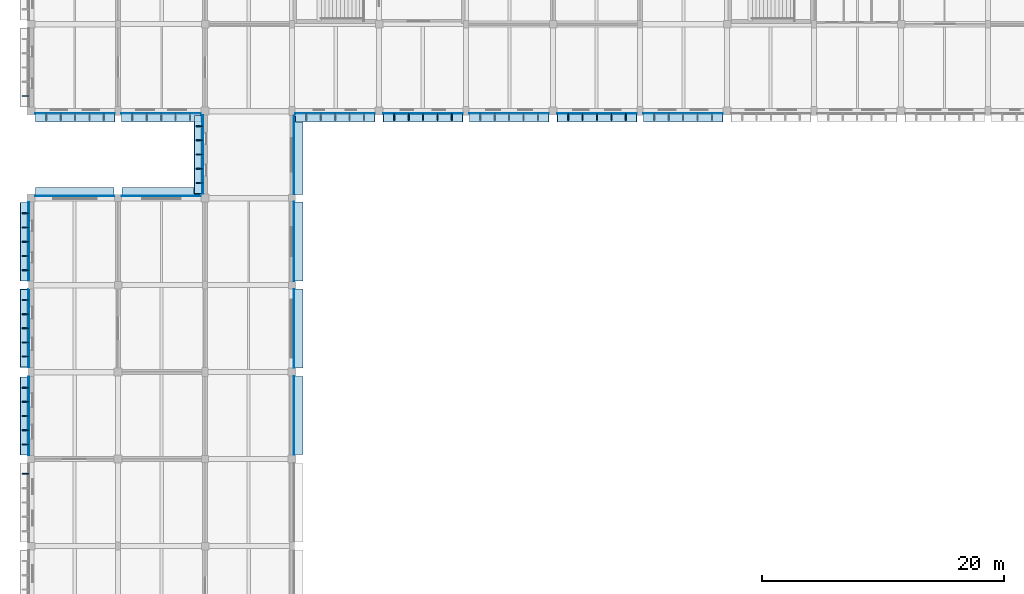
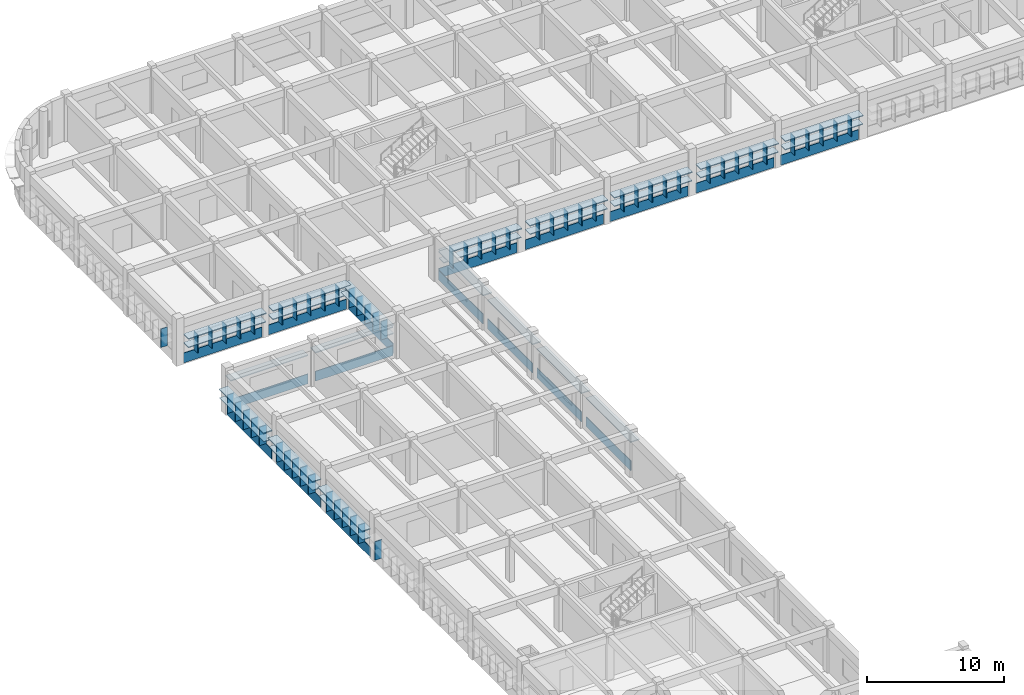
# One storey, part 13 of 38: 102 plates.
"""IFC4 building model written with IfcOpenShell, lengths in metres."""

from ifc_helpers import new_model, si_unit, direction, frame, origin, origin_2d, place, context, subcontext, project, spatial, rectangle, extrude, material, layer, layer_set, type_object, element, save


model = new_model("IFC4")

# Units and contexts
model_context = context("Model", 3, precision=1e-05, world=origin(), true_north=direction((0.0, 1.0)))
body_context = subcontext(model_context, "Body", "Model", "MODEL_VIEW")
ifc_project = project(units=[si_unit("LENGTHUNIT", "METRE"), si_unit("AREAUNIT", "SQUARE_METRE"), si_unit("VOLUMEUNIT", "CUBIC_METRE"), si_unit("PLANEANGLEUNIT", "RADIAN"), si_unit("MASSUNIT", "GRAM", prefix="KILO")], contexts=[model_context])

# Site, building, storey
site_placement = place(None, origin())
site = spatial("IfcSite", under=ifc_project, at=site_placement, CompositionType="ELEMENT")
building_placement = place(site_placement, origin())
building = spatial("IfcBuilding", under=site, at=building_placement, Name="Thalmaran Polytechnic", CompositionType="ELEMENT")
storey_placement = place(building_placement, frame((0.0, 0.0, 18.60009765625)))
storey = spatial("IfcBuildingStorey", under=building, at=storey_placement, Name="L04", CompositionType="ELEMENT", Elevation=18.60009765625)

# Plates
ifc_material_1 = material(Name="Anodised aluminium spandrel band", Category="aluminium")
ifc_layer_1 = layer(ifc_material_1, 0.054931640625, Name="Anodised aluminium spandrel band")
ifc_layer_set_1 = layer_set([ifc_layer_1], Name="Anodised aluminium spandrel band")
plate_type_1 = type_object("IfcPlateType", Name="PT-BD01", PredefinedType="SHEET", material=ifc_layer_set_1)
plate_1_placement = place(storey_placement, frame((-0.195068359375, 68.362548828125, 0.02001953125), z_axis=(0.0, 0.0, 1.0), x_axis=(0.0, 1.0, 0.0)))
element("IfcPlate", 1, at=plate_1_placement, inside=storey, type_object=plate_type_1, Name="Streamline Horizontal Spandrel Band L04-034", PredefinedType="SHEET", context=body_context, shape_type="SweptSolid", body=[
    extrude(rectangle(XDim=6.485107421875, YDim=0.054931640625, at=origin_2d()), origin(), (0.0, 0.0, 1.0), 0.8798828125),
])
plate_2_placement = place(storey_placement, frame((-0.195068359375, 75.62744140625, 0.02001953125), z_axis=(0.0, 0.0, 1.0), x_axis=(0.0, 1.0, 0.0)))
element("IfcPlate", 2, at=plate_2_placement, inside=storey, type_object=plate_type_1, Name="Streamline Horizontal Spandrel Band L04-035", PredefinedType="SHEET", context=body_context, shape_type="SweptSolid", body=[
    extrude(rectangle(XDim=6.465087890625, YDim=0.054931640625, at=origin_2d()), origin(), (0.0, 0.0, 1.0), 0.8798828125),
])
plate_3_placement = place(storey_placement, frame((-0.195068359375, 82.7900390625, 0.02001953125), z_axis=(0.0, 0.0, 1.0), x_axis=(0.0, 1.0, 0.0)))
element("IfcPlate", 3, at=plate_3_placement, inside=storey, type_object=plate_type_1, Name="Streamline Horizontal Spandrel Band L04-036", PredefinedType="SHEET", context=body_context, shape_type="SweptSolid", body=[
    extrude(rectangle(XDim=6.5, YDim=0.054931640625, at=origin_2d()), origin(), (0.0, 0.0, 1.0), 0.8798828125),
])
for number, where, z_axis, x_axis, name in (
    (4, (3.6201171875, 86.570068359375, 0.02001953125), (0.0, 0.0, 1.0), (1.0, 0.0, 0.0), "Streamline Horizontal Spandrel Band L04-037"),
    (5, (10.780029296875, 86.570068359375, 0.02001953125), (0.0, 0.0, 1.0), (1.0, 0.0, 0.0), "Streamline Horizontal Spandrel Band L04-038"),
):
    element("IfcPlate", number, at=place(storey_placement, frame(where, z_axis=z_axis, x_axis=x_axis)), inside=storey, type_object=plate_type_1, Name=name, PredefinedType="SHEET", context=body_context, shape_type="SweptSolid", body=[
        extrude(rectangle(XDim=6.52001953125, YDim=0.054931640625, at=origin_2d()), origin(), (0.0, 0.0, 1.0), 0.8798828125),
    ])
plate_4_placement = place(storey_placement, frame((14.205078125, 90.007568359375, 0.02001953125), z_axis=(0.0, 0.0, 1.0), x_axis=(0.0, 1.0, 0.0)))
element("IfcPlate", 6, at=plate_4_placement, inside=storey, type_object=plate_type_1, Name="Streamline Horizontal Spandrel Band L04-039", PredefinedType="SHEET", context=body_context, shape_type="SweptSolid", body=[
    extrude(rectangle(XDim=6.4951171875, YDim=0.054931640625, at=origin_2d()), origin(), (0.0, 0.0, 1.0), 0.8798828125),
])
for number, where, z_axis, x_axis, name in (
    (7, (10.762451171875, 93.405029296875, 0.02001953125), (0.0, 0.0, 1.0), (-1.0, 0.0, 0.0), "Streamline Horizontal Spandrel Band L04-040"),
    (8, (3.637451171875, 93.405029296875, 0.02001953125), (0.0, 0.0, 1.0), (-1.0, 0.0, 0.0), "Streamline Horizontal Spandrel Band L04-041"),
    (9, (53.96240234375, 93.405029296875, 0.02001953125), (0.0, 0.0, 1.0), (-1.0, 0.0, 0.0), "Streamline Horizontal Spandrel Band L04-074"),
    (10, (46.83740234375, 93.405029296875, 0.02001953125), (0.0, 0.0, 1.0), (-1.0, 0.0, 0.0), "Streamline Horizontal Spandrel Band L04-075"),
    (11, (39.5625, 93.405029296875, 0.02001953125), (0.0, 0.0, 1.0), (-1.0, 0.0, 0.0), "Streamline Horizontal Spandrel Band L04-076"),
    (12, (32.4375, 93.405029296875, 0.02001953125), (0.0, 0.0, 1.0), (-1.0, 0.0, 0.0), "Streamline Horizontal Spandrel Band L04-077"),
    (13, (25.16259765625, 93.405029296875, 0.02001953125), (0.0, 0.0, 1.0), (-1.0, 0.0, 0.0), "Streamline Horizontal Spandrel Band L04-078"),
):
    element("IfcPlate", number, at=place(storey_placement, frame(where, z_axis=z_axis, x_axis=x_axis)), inside=storey, type_object=plate_type_1, Name=name, PredefinedType="SHEET", context=body_context, shape_type="SweptSolid", body=[
        extrude(rectangle(XDim=6.5849609375, YDim=0.054931640625, at=origin_2d()), origin(), (0.0, 0.0, 1.0), 0.8798828125),
    ])
plate_5_placement = place(storey_placement, frame((21.77001953125, 89.96240234375, 0.02001953125), z_axis=(0.0, 0.0, 1.0), x_axis=(0.0, -1.0, 0.0)))
element("IfcPlate", 14, at=plate_5_placement, inside=storey, type_object=plate_type_1, Name="Streamline Horizontal Spandrel Band L04-079", PredefinedType="SHEET", context=body_context, shape_type="SweptSolid", body=[
    extrude(rectangle(XDim=6.485107421875, YDim=0.054931640625, at=origin_2d()), origin(), (0.0, 0.0, 1.0), 0.8798828125),
])
plate_6_placement = place(storey_placement, frame((21.77001953125, 82.804931640625, 0.02001953125), z_axis=(0.0, 0.0, 1.0), x_axis=(0.0, -1.0, 0.0)))
element("IfcPlate", 15, at=plate_6_placement, inside=storey, type_object=plate_type_1, Name="Streamline Horizontal Spandrel Band L04-080", PredefinedType="SHEET", context=body_context, shape_type="SweptSolid", body=[
    extrude(rectangle(XDim=6.550048828125, YDim=0.054931640625, at=origin_2d()), origin(), (0.0, 0.0, 1.0), 0.8798828125),
])
plate_7_placement = place(storey_placement, frame((21.77001953125, 75.607421875, 0.02001953125), z_axis=(0.0, 0.0, 1.0), x_axis=(0.0, -1.0, 0.0)))
element("IfcPlate", 16, at=plate_7_placement, inside=storey, type_object=plate_type_1, Name="Streamline Horizontal Spandrel Band L04-081", PredefinedType="SHEET", context=body_context, shape_type="SweptSolid", body=[
    extrude(rectangle(XDim=6.52490234375, YDim=0.054931640625, at=origin_2d()), origin(), (0.0, 0.0, 1.0), 0.8798828125),
])
plate_8_placement = place(storey_placement, frame((21.77001953125, 68.407470703125, 0.02001953125), z_axis=(0.0, 0.0, 1.0), x_axis=(0.0, -1.0, 0.0)))
element("IfcPlate", 17, at=plate_8_placement, inside=storey, type_object=plate_type_1, Name="Streamline Horizontal Spandrel Band L04-082", PredefinedType="SHEET", context=body_context, shape_type="SweptSolid", body=[
    extrude(rectangle(XDim=6.4951171875, YDim=0.054931640625, at=origin_2d()), origin(), (0.0, 0.0, 1.0), 0.8798828125),
])
ifc_material_2 = material(Name="Anodised aluminium sun-hood eyebrow", Category="aluminium")
ifc_layer_2 = layer(ifc_material_2, 0.0849609375, Name="Anodised aluminium sun-hood eyebrow")
ifc_layer_set_2 = layer_set([ifc_layer_2], Name="Anodised aluminium sun-hood eyebrow")
plate_type_2 = type_object("IfcPlateType", Name="PT-EB01", PredefinedType="SHEET", material=ifc_layer_set_2)
plate_9_placement = place(storey_placement, frame((-0.5400390625, 68.362548828125, 2.517333984375), z_axis=(0.0, 0.0, 1.0), x_axis=(0.0, 1.0, 0.0)))
element("IfcPlate", 18, at=plate_9_placement, inside=storey, type_object=plate_type_2, Name="Streamline Sun-Hood Eyebrow L04-034", PredefinedType="SHEET", context=body_context, shape_type="SweptSolid", body=[
    extrude(rectangle(XDim=6.485107421875, YDim=0.760009765625, at=origin_2d()), origin(), (0.0, 0.0, 1.0), 0.0849609375),
])
plate_10_placement = place(storey_placement, frame((-0.52001953125, 68.362548828125, 1.7421875), z_axis=(0.0, 0.0, 1.0), x_axis=(0.0, 1.0, 0.0)))
element("IfcPlate", 19, at=plate_10_placement, inside=storey, type_object=plate_type_2, Name="Abu Dhabi Horizontal Solar Louvre L04-034", PredefinedType="SHEET", context=body_context, shape_type="SweptSolid", body=[
    extrude(rectangle(XDim=6.445068359375, YDim=0.719970703125, at=origin_2d()), origin(), (0.0, 0.0, 1.0), 0.074951171875),
])
plate_11_placement = place(storey_placement, frame((-0.5400390625, 75.62744140625, 2.517333984375), z_axis=(0.0, 0.0, 1.0), x_axis=(0.0, 1.0, 0.0)))
element("IfcPlate", 20, at=plate_11_placement, inside=storey, type_object=plate_type_2, Name="Streamline Sun-Hood Eyebrow L04-035", PredefinedType="SHEET", context=body_context, shape_type="SweptSolid", body=[
    extrude(rectangle(XDim=6.465087890625, YDim=0.760009765625, at=origin_2d()), origin(), (0.0, 0.0, 1.0), 0.0849609375),
])
plate_12_placement = place(storey_placement, frame((-0.52001953125, 75.62744140625, 1.7421875), z_axis=(0.0, 0.0, 1.0), x_axis=(0.0, 1.0, 0.0)))
element("IfcPlate", 21, at=plate_12_placement, inside=storey, type_object=plate_type_2, Name="Abu Dhabi Horizontal Solar Louvre L04-035", PredefinedType="SHEET", context=body_context, shape_type="SweptSolid", body=[
    extrude(rectangle(XDim=6.425048828125, YDim=0.719970703125, at=origin_2d()), origin(), (0.0, 0.0, 1.0), 0.074951171875),
])
plate_13_placement = place(storey_placement, frame((-0.5400390625, 82.7900390625, 2.517333984375), z_axis=(0.0, 0.0, 1.0), x_axis=(0.0, 1.0, 0.0)))
element("IfcPlate", 22, at=plate_13_placement, inside=storey, type_object=plate_type_2, Name="Streamline Sun-Hood Eyebrow L04-036", PredefinedType="SHEET", context=body_context, shape_type="SweptSolid", body=[
    extrude(rectangle(XDim=6.5, YDim=0.760009765625, at=origin_2d()), origin(), (0.0, 0.0, 1.0), 0.0849609375),
])
plate_14_placement = place(storey_placement, frame((-0.52001953125, 82.7900390625, 1.7421875), z_axis=(0.0, 0.0, 1.0), x_axis=(0.0, 1.0, 0.0)))
element("IfcPlate", 23, at=plate_14_placement, inside=storey, type_object=plate_type_2, Name="Abu Dhabi Horizontal Solar Louvre L04-036", PredefinedType="SHEET", context=body_context, shape_type="SweptSolid", body=[
    extrude(rectangle(XDim=6.4599609375, YDim=0.719970703125, at=origin_2d()), origin(), (0.0, 0.0, 1.0), 0.074951171875),
])
for number, where, z_axis, x_axis, name in (
    (24, (3.6201171875, 86.9150390625, 2.517333984375), (0.0, 0.0, 1.0), (1.0, 0.0, 0.0), "Streamline Sun-Hood Eyebrow L04-037"),
    (25, (10.780029296875, 86.9150390625, 2.517333984375), (0.0, 0.0, 1.0), (1.0, 0.0, 0.0), "Streamline Sun-Hood Eyebrow L04-038"),
):
    element("IfcPlate", number, at=place(storey_placement, frame(where, z_axis=z_axis, x_axis=x_axis)), inside=storey, type_object=plate_type_2, Name=name, PredefinedType="SHEET", context=body_context, shape_type="SweptSolid", body=[
        extrude(rectangle(XDim=6.52001953125, YDim=0.760009765625, at=origin_2d()), origin(), (0.0, 0.0, 1.0), 0.0849609375),
    ])
plate_15_placement = place(storey_placement, frame((13.860107421875, 90.007568359375, 2.517333984375), z_axis=(0.0, 0.0, 1.0), x_axis=(0.0, 1.0, 0.0)))
element("IfcPlate", 26, at=plate_15_placement, inside=storey, type_object=plate_type_2, Name="Streamline Sun-Hood Eyebrow L04-039", PredefinedType="SHEET", context=body_context, shape_type="SweptSolid", body=[
    extrude(rectangle(XDim=6.4951171875, YDim=0.760009765625, at=origin_2d()), origin(), (0.0, 0.0, 1.0), 0.0849609375),
])
plate_16_placement = place(storey_placement, frame((13.8798828125, 90.007568359375, 1.7421875), z_axis=(0.0, 0.0, 1.0), x_axis=(0.0, 1.0, 0.0)))
element("IfcPlate", 27, at=plate_16_placement, inside=storey, type_object=plate_type_2, Name="Abu Dhabi Horizontal Solar Louvre L04-039", PredefinedType="SHEET", context=body_context, shape_type="SweptSolid", body=[
    extrude(rectangle(XDim=6.455078125, YDim=0.719970703125, at=origin_2d()), origin(), (0.0, 0.0, 1.0), 0.074951171875),
])
plate_17_placement = place(storey_placement, frame((10.762451171875, 93.06005859375, 2.517333984375), z_axis=(0.0, 0.0, 1.0), x_axis=(-1.0, 0.0, 0.0)))
element("IfcPlate", 28, at=plate_17_placement, inside=storey, type_object=plate_type_2, Name="Streamline Sun-Hood Eyebrow L04-040", PredefinedType="SHEET", context=body_context, shape_type="SweptSolid", body=[
    extrude(rectangle(XDim=6.5849609375, YDim=0.760009765625, at=origin_2d()), origin(), (0.0, 0.0, 1.0), 0.0849609375),
])
plate_18_placement = place(storey_placement, frame((10.762451171875, 93.080078125, 1.7421875), z_axis=(0.0, 0.0, 1.0), x_axis=(-1.0, 0.0, 0.0)))
element("IfcPlate", 29, at=plate_18_placement, inside=storey, type_object=plate_type_2, Name="Abu Dhabi Horizontal Solar Louvre L04-040", PredefinedType="SHEET", context=body_context, shape_type="SweptSolid", body=[
    extrude(rectangle(XDim=6.544921875, YDim=0.719970703125, at=origin_2d()), origin(), (0.0, 0.0, 1.0), 0.074951171875),
])
plate_19_placement = place(storey_placement, frame((3.637451171875, 93.06005859375, 2.517333984375), z_axis=(0.0, 0.0, 1.0), x_axis=(-1.0, 0.0, 0.0)))
element("IfcPlate", 30, at=plate_19_placement, inside=storey, type_object=plate_type_2, Name="Streamline Sun-Hood Eyebrow L04-041", PredefinedType="SHEET", context=body_context, shape_type="SweptSolid", body=[
    extrude(rectangle(XDim=6.5849609375, YDim=0.760009765625, at=origin_2d()), origin(), (0.0, 0.0, 1.0), 0.0849609375),
])
plate_20_placement = place(storey_placement, frame((3.637451171875, 93.080078125, 1.7421875), z_axis=(0.0, 0.0, 1.0), x_axis=(-1.0, 0.0, 0.0)))
element("IfcPlate", 31, at=plate_20_placement, inside=storey, type_object=plate_type_2, Name="Abu Dhabi Horizontal Solar Louvre L04-041", PredefinedType="SHEET", context=body_context, shape_type="SweptSolid", body=[
    extrude(rectangle(XDim=6.544921875, YDim=0.719970703125, at=origin_2d()), origin(), (0.0, 0.0, 1.0), 0.074951171875),
])
plate_21_placement = place(storey_placement, frame((53.96240234375, 93.06005859375, 2.517333984375), z_axis=(0.0, 0.0, 1.0), x_axis=(-1.0, 0.0, 0.0)))
element("IfcPlate", 32, at=plate_21_placement, inside=storey, type_object=plate_type_2, Name="Streamline Sun-Hood Eyebrow L04-074", PredefinedType="SHEET", context=body_context, shape_type="SweptSolid", body=[
    extrude(rectangle(XDim=6.5849609375, YDim=0.760009765625, at=origin_2d()), origin(), (0.0, 0.0, 1.0), 0.0849609375),
])
plate_22_placement = place(storey_placement, frame((53.96240234375, 93.080078125, 1.7421875), z_axis=(0.0, 0.0, 1.0), x_axis=(-1.0, 0.0, 0.0)))
element("IfcPlate", 33, at=plate_22_placement, inside=storey, type_object=plate_type_2, Name="Abu Dhabi Horizontal Solar Louvre L04-074", PredefinedType="SHEET", context=body_context, shape_type="SweptSolid", body=[
    extrude(rectangle(XDim=6.544921875, YDim=0.719970703125, at=origin_2d()), origin(), (0.0, 0.0, 1.0), 0.074951171875),
])
plate_23_placement = place(storey_placement, frame((46.83740234375, 93.06005859375, 2.517333984375), z_axis=(0.0, 0.0, 1.0), x_axis=(-1.0, 0.0, 0.0)))
element("IfcPlate", 34, at=plate_23_placement, inside=storey, type_object=plate_type_2, Name="Streamline Sun-Hood Eyebrow L04-075", PredefinedType="SHEET", context=body_context, shape_type="SweptSolid", body=[
    extrude(rectangle(XDim=6.5849609375, YDim=0.760009765625, at=origin_2d()), origin(), (0.0, 0.0, 1.0), 0.0849609375),
])
plate_24_placement = place(storey_placement, frame((46.83740234375, 93.080078125, 1.7421875), z_axis=(0.0, 0.0, 1.0), x_axis=(-1.0, 0.0, 0.0)))
element("IfcPlate", 35, at=plate_24_placement, inside=storey, type_object=plate_type_2, Name="Abu Dhabi Horizontal Solar Louvre L04-075", PredefinedType="SHEET", context=body_context, shape_type="SweptSolid", body=[
    extrude(rectangle(XDim=6.544921875, YDim=0.719970703125, at=origin_2d()), origin(), (0.0, 0.0, 1.0), 0.074951171875),
])
plate_25_placement = place(storey_placement, frame((39.5625, 93.06005859375, 2.517333984375), z_axis=(0.0, 0.0, 1.0), x_axis=(-1.0, 0.0, 0.0)))
element("IfcPlate", 36, at=plate_25_placement, inside=storey, type_object=plate_type_2, Name="Streamline Sun-Hood Eyebrow L04-076", PredefinedType="SHEET", context=body_context, shape_type="SweptSolid", body=[
    extrude(rectangle(XDim=6.5849609375, YDim=0.760009765625, at=origin_2d()), origin(), (0.0, 0.0, 1.0), 0.0849609375),
])
plate_26_placement = place(storey_placement, frame((39.5625, 93.080078125, 1.7421875), z_axis=(0.0, 0.0, 1.0), x_axis=(-1.0, 0.0, 0.0)))
element("IfcPlate", 37, at=plate_26_placement, inside=storey, type_object=plate_type_2, Name="Abu Dhabi Horizontal Solar Louvre L04-076", PredefinedType="SHEET", context=body_context, shape_type="SweptSolid", body=[
    extrude(rectangle(XDim=6.544921875, YDim=0.719970703125, at=origin_2d()), origin(), (0.0, 0.0, 1.0), 0.074951171875),
])
plate_27_placement = place(storey_placement, frame((32.4375, 93.06005859375, 2.517333984375), z_axis=(0.0, 0.0, 1.0), x_axis=(-1.0, 0.0, 0.0)))
element("IfcPlate", 38, at=plate_27_placement, inside=storey, type_object=plate_type_2, Name="Streamline Sun-Hood Eyebrow L04-077", PredefinedType="SHEET", context=body_context, shape_type="SweptSolid", body=[
    extrude(rectangle(XDim=6.5849609375, YDim=0.760009765625, at=origin_2d()), origin(), (0.0, 0.0, 1.0), 0.0849609375),
])
plate_28_placement = place(storey_placement, frame((32.4375, 93.080078125, 1.7421875), z_axis=(0.0, 0.0, 1.0), x_axis=(-1.0, 0.0, 0.0)))
element("IfcPlate", 39, at=plate_28_placement, inside=storey, type_object=plate_type_2, Name="Abu Dhabi Horizontal Solar Louvre L04-077", PredefinedType="SHEET", context=body_context, shape_type="SweptSolid", body=[
    extrude(rectangle(XDim=6.544921875, YDim=0.719970703125, at=origin_2d()), origin(), (0.0, 0.0, 1.0), 0.074951171875),
])
plate_29_placement = place(storey_placement, frame((25.16259765625, 93.06005859375, 2.517333984375), z_axis=(0.0, 0.0, 1.0), x_axis=(-1.0, 0.0, 0.0)))
element("IfcPlate", 40, at=plate_29_placement, inside=storey, type_object=plate_type_2, Name="Streamline Sun-Hood Eyebrow L04-078", PredefinedType="SHEET", context=body_context, shape_type="SweptSolid", body=[
    extrude(rectangle(XDim=6.5849609375, YDim=0.760009765625, at=origin_2d()), origin(), (0.0, 0.0, 1.0), 0.0849609375),
])
plate_30_placement = place(storey_placement, frame((25.16259765625, 93.080078125, 1.7421875), z_axis=(0.0, 0.0, 1.0), x_axis=(-1.0, 0.0, 0.0)))
element("IfcPlate", 41, at=plate_30_placement, inside=storey, type_object=plate_type_2, Name="Abu Dhabi Horizontal Solar Louvre L04-078", PredefinedType="SHEET", context=body_context, shape_type="SweptSolid", body=[
    extrude(rectangle(XDim=6.544921875, YDim=0.719970703125, at=origin_2d()), origin(), (0.0, 0.0, 1.0), 0.074951171875),
])
plate_31_placement = place(storey_placement, frame((22.114990234375, 89.96240234375, 2.517333984375), z_axis=(0.0, 0.0, 1.0), x_axis=(0.0, -1.0, 0.0)))
element("IfcPlate", 42, at=plate_31_placement, inside=storey, type_object=plate_type_2, Name="Streamline Sun-Hood Eyebrow L04-079", PredefinedType="SHEET", context=body_context, shape_type="SweptSolid", body=[
    extrude(rectangle(XDim=6.485107421875, YDim=0.760009765625, at=origin_2d()), origin(), (0.0, 0.0, 1.0), 0.0849609375),
])
plate_32_placement = place(storey_placement, frame((22.114990234375, 82.804931640625, 2.517333984375), z_axis=(0.0, 0.0, 1.0), x_axis=(0.0, -1.0, 0.0)))
element("IfcPlate", 43, at=plate_32_placement, inside=storey, type_object=plate_type_2, Name="Streamline Sun-Hood Eyebrow L04-080", PredefinedType="SHEET", context=body_context, shape_type="SweptSolid", body=[
    extrude(rectangle(XDim=6.550048828125, YDim=0.760009765625, at=origin_2d()), origin(), (0.0, 0.0, 1.0), 0.0849609375),
])
plate_33_placement = place(storey_placement, frame((22.114990234375, 75.607421875, 2.517333984375), z_axis=(0.0, 0.0, 1.0), x_axis=(0.0, -1.0, 0.0)))
element("IfcPlate", 44, at=plate_33_placement, inside=storey, type_object=plate_type_2, Name="Streamline Sun-Hood Eyebrow L04-081", PredefinedType="SHEET", context=body_context, shape_type="SweptSolid", body=[
    extrude(rectangle(XDim=6.52490234375, YDim=0.760009765625, at=origin_2d()), origin(), (0.0, 0.0, 1.0), 0.0849609375),
])
plate_34_placement = place(storey_placement, frame((22.114990234375, 68.407470703125, 2.517333984375), z_axis=(0.0, 0.0, 1.0), x_axis=(0.0, -1.0, 0.0)))
element("IfcPlate", 45, at=plate_34_placement, inside=storey, type_object=plate_type_2, Name="Streamline Sun-Hood Eyebrow L04-082", PredefinedType="SHEET", context=body_context, shape_type="SweptSolid", body=[
    extrude(rectangle(XDim=6.4951171875, YDim=0.760009765625, at=origin_2d()), origin(), (0.0, 0.0, 1.0), 0.0849609375),
])
ifc_material_3 = material(Name="Anodised bronze brise-soleil fin")
ifc_layer_3 = layer(ifc_material_3, 0.06494140625, Name="Anodised bronze brise-soleil fin")
ifc_layer_set_3 = layer_set([ifc_layer_3], Name="Anodised bronze brise-soleil fin")
plate_type_3 = type_object("IfcPlateType", Name="PT-FN01", PredefinedType="SHEET", material=ifc_layer_set_3)
for number, where, z_axis, x_axis, name in (
    (46, (-0.4599609375, 63.577392578125, 0.89501953125), (0.0, 0.0, 1.0), (0.0, 1.0, 0.0), "Abu Dhabi Solar Brise-Soleil Fin L04-033-5"),
    (47, (-0.4599609375, 66.013427734375, 0.89501953125), (0.0, 0.0, 1.0), (0.0, 1.0, 0.0), "Abu Dhabi Solar Brise-Soleil Fin L04-034-1"),
    (48, (-0.4599609375, 67.18798828125, 0.89501953125), (0.0, 0.0, 1.0), (0.0, 1.0, 0.0), "Abu Dhabi Solar Brise-Soleil Fin L04-034-2"),
    (49, (-0.4599609375, 68.362548828125, 0.89501953125), (0.0, 0.0, 1.0), (0.0, 1.0, 0.0), "Abu Dhabi Solar Brise-Soleil Fin L04-034-3"),
    (50, (-0.4599609375, 69.537109375, 0.89501953125), (0.0, 0.0, 1.0), (0.0, 1.0, 0.0), "Abu Dhabi Solar Brise-Soleil Fin L04-034-4"),
    (51, (-0.4599609375, 70.71142578125, 0.89501953125), (0.0, 0.0, 1.0), (0.0, 1.0, 0.0), "Abu Dhabi Solar Brise-Soleil Fin L04-034-5"),
    (52, (-0.4599609375, 73.28564453125, 0.89501953125), (0.0, 0.0, 1.0), (0.0, 1.0, 0.0), "Abu Dhabi Solar Brise-Soleil Fin L04-035-1"),
    (53, (-0.4599609375, 74.45654296875, 0.89501953125), (0.0, 0.0, 1.0), (0.0, 1.0, 0.0), "Abu Dhabi Solar Brise-Soleil Fin L04-035-2"),
    (54, (-0.4599609375, 75.62744140625, 0.89501953125), (0.0, 0.0, 1.0), (0.0, 1.0, 0.0), "Abu Dhabi Solar Brise-Soleil Fin L04-035-3"),
    (55, (-0.4599609375, 76.79833984375, 0.89501953125), (0.0, 0.0, 1.0), (0.0, 1.0, 0.0), "Abu Dhabi Solar Brise-Soleil Fin L04-035-4"),
    (56, (-0.4599609375, 77.96923828125, 0.89501953125), (0.0, 0.0, 1.0), (0.0, 1.0, 0.0), "Abu Dhabi Solar Brise-Soleil Fin L04-035-5"),
    (57, (-0.4599609375, 80.435546875, 0.89501953125), (0.0, 0.0, 1.0), (0.0, 1.0, 0.0), "Abu Dhabi Solar Brise-Soleil Fin L04-036-1"),
    (58, (-0.4599609375, 81.61279296875, 0.89501953125), (0.0, 0.0, 1.0), (0.0, 1.0, 0.0), "Abu Dhabi Solar Brise-Soleil Fin L04-036-2"),
    (59, (-0.4599609375, 82.7900390625, 0.89501953125), (0.0, 0.0, 1.0), (0.0, 1.0, 0.0), "Abu Dhabi Solar Brise-Soleil Fin L04-036-3"),
    (60, (-0.4599609375, 83.96728515625, 0.89501953125), (0.0, 0.0, 1.0), (0.0, 1.0, 0.0), "Abu Dhabi Solar Brise-Soleil Fin L04-036-4"),
    (61, (-0.4599609375, 85.144287109375, 0.89501953125), (0.0, 0.0, 1.0), (0.0, 1.0, 0.0), "Abu Dhabi Solar Brise-Soleil Fin L04-036-5"),
    (62, (13.93994140625, 87.65478515625, 0.89501953125), (0.0, 0.0, 1.0), (0.0, 1.0, 0.0), "Abu Dhabi Solar Brise-Soleil Fin L04-039-1"),
    (63, (13.93994140625, 88.831298828125, 0.89501953125), (0.0, 0.0, 1.0), (0.0, 1.0, 0.0), "Abu Dhabi Solar Brise-Soleil Fin L04-039-2"),
    (64, (13.93994140625, 90.007568359375, 0.89501953125), (0.0, 0.0, 1.0), (0.0, 1.0, 0.0), "Abu Dhabi Solar Brise-Soleil Fin L04-039-3"),
    (65, (13.93994140625, 91.183837890625, 0.89501953125), (0.0, 0.0, 1.0), (0.0, 1.0, 0.0), "Abu Dhabi Solar Brise-Soleil Fin L04-039-4"),
    (66, (13.93994140625, 92.360107421875, 0.89501953125), (0.0, 0.0, 1.0), (0.0, 1.0, 0.0), "Abu Dhabi Solar Brise-Soleil Fin L04-039-5"),
    (67, (13.1474609375, 93.139892578125, 0.89501953125), (0.0, 0.0, 1.0), (-1.0, 0.0, 0.0), "Abu Dhabi Solar Brise-Soleil Fin L04-040-1"),
    (68, (11.955078125, 93.139892578125, 0.89501953125), (0.0, 0.0, 1.0), (-1.0, 0.0, 0.0), "Abu Dhabi Solar Brise-Soleil Fin L04-040-2"),
    (69, (10.762451171875, 93.139892578125, 0.89501953125), (0.0, 0.0, 1.0), (-1.0, 0.0, 0.0), "Abu Dhabi Solar Brise-Soleil Fin L04-040-3"),
    (70, (9.570068359375, 93.139892578125, 0.89501953125), (0.0, 0.0, 1.0), (-1.0, 0.0, 0.0), "Abu Dhabi Solar Brise-Soleil Fin L04-040-4"),
    (71, (8.37744140625, 93.139892578125, 0.89501953125), (0.0, 0.0, 1.0), (-1.0, 0.0, 0.0), "Abu Dhabi Solar Brise-Soleil Fin L04-040-5"),
    (72, (6.0224609375, 93.139892578125, 0.89501953125), (0.0, 0.0, 1.0), (-1.0, 0.0, 0.0), "Abu Dhabi Solar Brise-Soleil Fin L04-041-1"),
    (73, (4.830078125, 93.139892578125, 0.89501953125), (0.0, 0.0, 1.0), (-1.0, 0.0, 0.0), "Abu Dhabi Solar Brise-Soleil Fin L04-041-2"),
    (74, (3.637451171875, 93.139892578125, 0.89501953125), (0.0, 0.0, 1.0), (-1.0, 0.0, 0.0), "Abu Dhabi Solar Brise-Soleil Fin L04-041-3"),
    (75, (2.445068359375, 93.139892578125, 0.89501953125), (0.0, 0.0, 1.0), (-1.0, 0.0, 0.0), "Abu Dhabi Solar Brise-Soleil Fin L04-041-4"),
    (76, (1.25244140625, 93.139892578125, 0.89501953125), (0.0, 0.0, 1.0), (-1.0, 0.0, 0.0), "Abu Dhabi Solar Brise-Soleil Fin L04-041-5"),
    (77, (-0.4599609375, 94.843994140625, 0.89501953125), (0.0, 0.0, 1.0), (0.0, 1.0, 0.0), "Abu Dhabi Solar Brise-Soleil Fin L04-042-1"),
    (78, (56.347412109375, 93.139892578125, 0.89501953125), (0.0, 0.0, 1.0), (-1.0, 0.0, 0.0), "Abu Dhabi Solar Brise-Soleil Fin L04-074-1"),
    (79, (55.155029296875, 93.139892578125, 0.89501953125), (0.0, 0.0, 1.0), (-1.0, 0.0, 0.0), "Abu Dhabi Solar Brise-Soleil Fin L04-074-2"),
    (80, (53.96240234375, 93.139892578125, 0.89501953125), (0.0, 0.0, 1.0), (-1.0, 0.0, 0.0), "Abu Dhabi Solar Brise-Soleil Fin L04-074-3"),
    (81, (52.77001953125, 93.139892578125, 0.89501953125), (0.0, 0.0, 1.0), (-1.0, 0.0, 0.0), "Abu Dhabi Solar Brise-Soleil Fin L04-074-4"),
    (82, (51.577392578125, 93.139892578125, 0.89501953125), (0.0, 0.0, 1.0), (-1.0, 0.0, 0.0), "Abu Dhabi Solar Brise-Soleil Fin L04-074-5"),
    (83, (49.222412109375, 93.139892578125, 0.89501953125), (0.0, 0.0, 1.0), (-1.0, 0.0, 0.0), "Abu Dhabi Solar Brise-Soleil Fin L04-075-1"),
    (84, (48.030029296875, 93.139892578125, 0.89501953125), (0.0, 0.0, 1.0), (-1.0, 0.0, 0.0), "Abu Dhabi Solar Brise-Soleil Fin L04-075-2"),
    (85, (46.83740234375, 93.139892578125, 0.89501953125), (0.0, 0.0, 1.0), (-1.0, 0.0, 0.0), "Abu Dhabi Solar Brise-Soleil Fin L04-075-3"),
    (86, (45.64501953125, 93.139892578125, 0.89501953125), (0.0, 0.0, 1.0), (-1.0, 0.0, 0.0), "Abu Dhabi Solar Brise-Soleil Fin L04-075-4"),
    (87, (44.452392578125, 93.139892578125, 0.89501953125), (0.0, 0.0, 1.0), (-1.0, 0.0, 0.0), "Abu Dhabi Solar Brise-Soleil Fin L04-075-5"),
    (88, (41.947509765625, 93.139892578125, 0.89501953125), (0.0, 0.0, 1.0), (-1.0, 0.0, 0.0), "Abu Dhabi Solar Brise-Soleil Fin L04-076-1"),
    (89, (40.7548828125, 93.139892578125, 0.89501953125), (0.0, 0.0, 1.0), (-1.0, 0.0, 0.0), "Abu Dhabi Solar Brise-Soleil Fin L04-076-2"),
    (90, (39.5625, 93.139892578125, 0.89501953125), (0.0, 0.0, 1.0), (-1.0, 0.0, 0.0), "Abu Dhabi Solar Brise-Soleil Fin L04-076-3"),
    (91, (38.3701171875, 93.139892578125, 0.89501953125), (0.0, 0.0, 1.0), (-1.0, 0.0, 0.0), "Abu Dhabi Solar Brise-Soleil Fin L04-076-4"),
    (92, (37.177490234375, 93.139892578125, 0.89501953125), (0.0, 0.0, 1.0), (-1.0, 0.0, 0.0), "Abu Dhabi Solar Brise-Soleil Fin L04-076-5"),
    (93, (34.822509765625, 93.139892578125, 0.89501953125), (0.0, 0.0, 1.0), (-1.0, 0.0, 0.0), "Abu Dhabi Solar Brise-Soleil Fin L04-077-1"),
    (94, (33.6298828125, 93.139892578125, 0.89501953125), (0.0, 0.0, 1.0), (-1.0, 0.0, 0.0), "Abu Dhabi Solar Brise-Soleil Fin L04-077-2"),
    (95, (32.4375, 93.139892578125, 0.89501953125), (0.0, 0.0, 1.0), (-1.0, 0.0, 0.0), "Abu Dhabi Solar Brise-Soleil Fin L04-077-3"),
    (96, (31.2451171875, 93.139892578125, 0.89501953125), (0.0, 0.0, 1.0), (-1.0, 0.0, 0.0), "Abu Dhabi Solar Brise-Soleil Fin L04-077-4"),
    (97, (30.052490234375, 93.139892578125, 0.89501953125), (0.0, 0.0, 1.0), (-1.0, 0.0, 0.0), "Abu Dhabi Solar Brise-Soleil Fin L04-077-5"),
    (98, (27.547607421875, 93.139892578125, 0.89501953125), (0.0, 0.0, 1.0), (-1.0, 0.0, 0.0), "Abu Dhabi Solar Brise-Soleil Fin L04-078-1"),
    (99, (26.35498046875, 93.139892578125, 0.89501953125), (0.0, 0.0, 1.0), (-1.0, 0.0, 0.0), "Abu Dhabi Solar Brise-Soleil Fin L04-078-2"),
    (100, (25.16259765625, 93.139892578125, 0.89501953125), (0.0, 0.0, 1.0), (-1.0, 0.0, 0.0), "Abu Dhabi Solar Brise-Soleil Fin L04-078-3"),
    (101, (23.969970703125, 93.139892578125, 0.89501953125), (0.0, 0.0, 1.0), (-1.0, 0.0, 0.0), "Abu Dhabi Solar Brise-Soleil Fin L04-078-4"),
    (102, (22.777587890625, 93.139892578125, 0.89501953125), (0.0, 0.0, 1.0), (-1.0, 0.0, 0.0), "Abu Dhabi Solar Brise-Soleil Fin L04-078-5"),
):
    element("IfcPlate", number, at=place(storey_placement, frame(where, z_axis=z_axis, x_axis=x_axis)), inside=storey, type_object=plate_type_3, Name=name, PredefinedType="SHEET", context=body_context, shape_type="SweptSolid", body=[
        extrude(rectangle(XDim=0.06494140625, YDim=0.56005859375, at=origin_2d()), origin(), (0.0, 0.0, 1.0), 1.64990234375),
    ])

save(model, "model.ifc")
